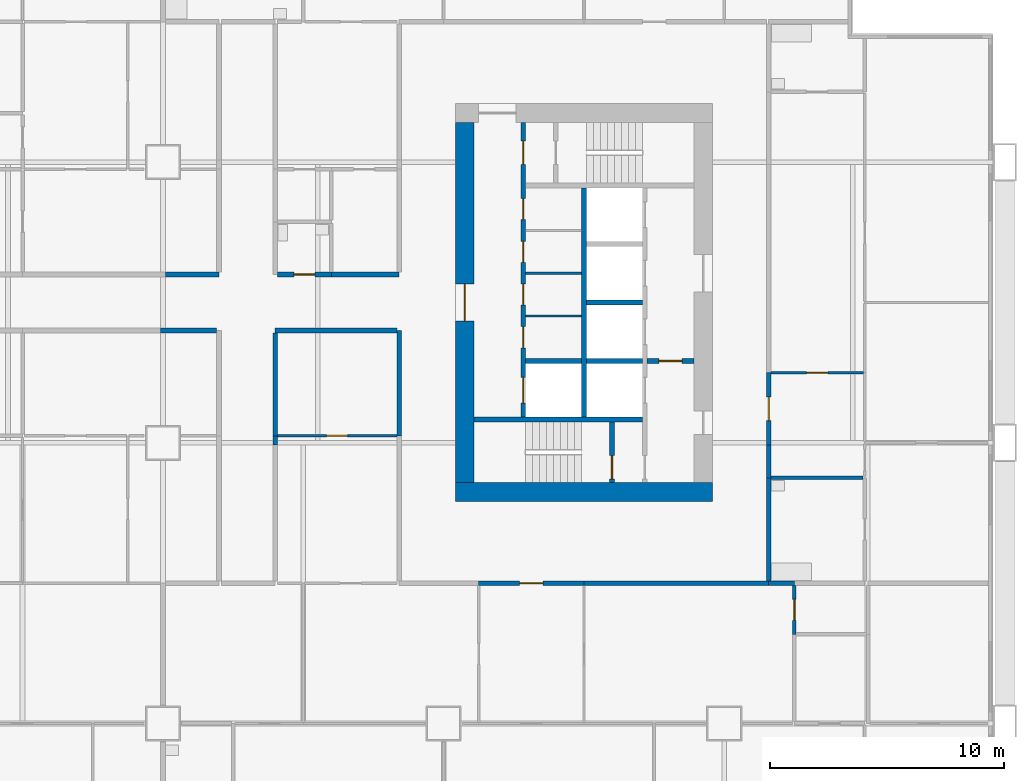
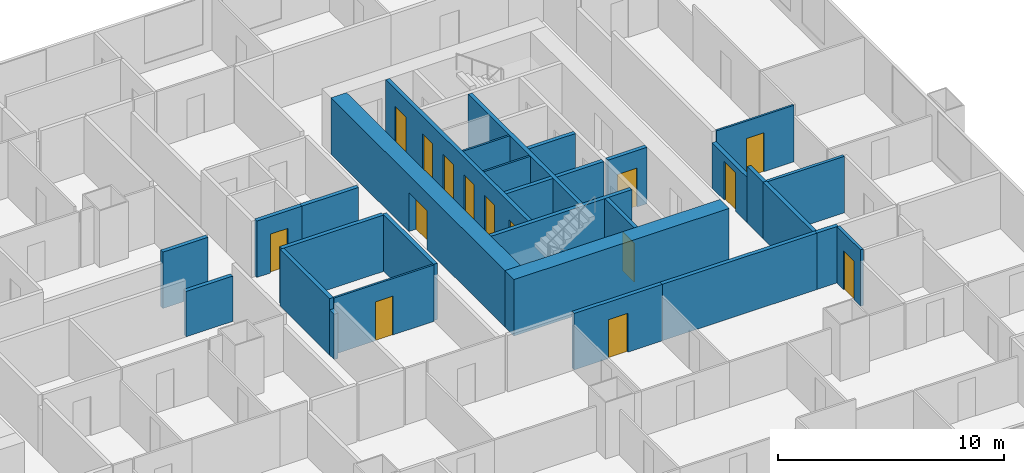
# One storey, part 6 of 13: 30 walls, 15 doors, 15 openings.
"""IFC4 building model written with IfcOpenShell, lengths in metres."""

from ifc_helpers import new_model, si_unit, direction, frame, frame_2d, origin, place, context, subcontext, project, spatial, rectangle, extrude, material, layer, layer_set, type_object, element, fill, save


model = new_model("IFC4")

# Units and contexts
model_context = context("Model", 3, precision=1e-05, world=origin(), true_north=direction((0.0, 1.0)))
body_context = subcontext(model_context, "Body", "Model", "MODEL_VIEW")
ifc_project = project(units=[si_unit("LENGTHUNIT", "METRE"), si_unit("AREAUNIT", "SQUARE_METRE"), si_unit("VOLUMEUNIT", "CUBIC_METRE"), si_unit("PLANEANGLEUNIT", "RADIAN"), si_unit("MASSUNIT", "GRAM", prefix="KILO")], contexts=[model_context])

# Site, building, storey
site_placement = place(None, origin())
site = spatial("IfcSite", under=ifc_project, at=site_placement, CompositionType="ELEMENT")
building_placement = place(site_placement, origin())
building = spatial("IfcBuilding", under=site, at=building_placement, Name="Kitamizu Gate Tower and Museum", CompositionType="ELEMENT")
storey_placement = place(building_placement, frame((0.0, 0.0, 81.75)))
storey = spatial("IfcBuildingStorey", under=building, at=storey_placement, Name="L20", CompositionType="ELEMENT", Elevation=81.75)

# Wall
ifc_material_1 = material(Name="Concrete Fc60", Category="concrete")
ifc_layer_1 = layer(ifc_material_1, 0.800048828125)
ifc_layer_set_1 = layer_set([ifc_layer_1], Name="Concrete Fc60")
wall_type_1 = type_object("IfcWallType", Name="Core wall 800", PredefinedType="SHEAR", material=ifc_layer_set_1)
wall_1_placement = place(storey_placement, frame((59.5, 21.89990234375, 0.0), z_axis=(0.0, 0.0, 1.0), x_axis=(-1.0, 0.0, 0.0)))
element("IfcWall", 1, at=wall_1_placement, inside=storey, type_object=wall_type_1, Name="Core wall ES", PredefinedType="SHEAR", context=body_context, shape_type="SweptSolid", body=[
    extrude(rectangle(XDim=11.0, YDim=0.800048828125, at=frame_2d((5.5, 0.0))), origin(), (0.0, 0.0, 1.0), 3.050048828125),
])

# Wall, opening, door
wall_2_placement = place(storey_placement, frame((48.89990234375, 22.300048828125, 0.0), z_axis=(0.0, 0.0, 1.0), x_axis=(0.0, 1.0, 0.0)))
wall_2 = element("IfcWall", 2, at=wall_2_placement, inside=storey, type_object=wall_type_1, Name="Core wall EARC", PredefinedType="SHEAR", context=body_context, shape_type="SweptSolid", body=[
    extrude(rectangle(XDim=15.39990234375, YDim=0.800048828125, at=frame_2d((7.699951171875, 0.0))), origin(), (0.0, 0.0, 1.0), 3.050048828125),
])
opening_1_placement = place(wall_2_placement, frame((6.89990234375, 0.0, 0.0)))
opening_1 = element("IfcOpeningElement", 3, at=opening_1_placement, cuts=wall_2, Name="Opening L20-097", PredefinedType="OPENING", context=body_context, shape_type="SweptSolid", body=[
    extrude(rectangle(XDim=1.60009765625, YDim=2.10009765625, at=frame_2d((0.800048828125, 1.050048828125))), frame((0.0, 0.41015625, 0.0), z_axis=(0.0, -1.0, 0.0), x_axis=(1.0, 0.0, 0.0)), (0.0, 0.0, 1.0), 0.820068359375),
])
ifc_material_2 = material(Name="Timber door set", Category="wood")
door_type_1 = type_object("IfcDoorType", Name="Entrance door 1600", OperationType="DOUBLE_DOOR_SINGLE_SWING", PredefinedType="DOOR", material=ifc_material_2)
door_1_placement = place(opening_1_placement, origin())
door_1 = element("IfcDoor", 4, at=door_1_placement, inside=storey, type_object=door_type_1, Name="Lobby door L20-097", OperationType="DOUBLE_DOOR_SINGLE_SWING", OverallHeight=2.10009765625, OverallWidth=1.60009765625, PredefinedType="DOOR", context=body_context, shape_type="SweptSolid", body=[
    extrude(rectangle(XDim=1.60009765625, YDim=2.10009765625, at=frame_2d((0.800048828125, 1.050048828125))), frame((0.0, 0.02490234375, 0.0), z_axis=(0.0, -1.0, 0.0), x_axis=(1.0, 0.0, 0.0)), (0.0, 0.0, 1.0), 0.050048828125),
])
fill(opening_1, door_1)

# Walls
ifc_material_3 = material(Name="Gypsum board on galvanised stud")
ifc_layer_2 = layer(ifc_material_3, 0.10009765625)
ifc_layer_set_2 = layer_set([ifc_layer_2], Name="Gypsum board on galvanised stud")
wall_type_2 = type_object("IfcWallType", Name="Partition 100", PredefinedType="PARTITIONING", material=ifc_layer_set_2)
for number, where, z_axis, x_axis, name in (
    (5, (53.89990234375, 29.425048828125, 0.0), (0.0, 0.0, 1.0), (-1.0, 0.0, 0.0), "Partition EPF1"),
    (6, (53.89990234375, 31.25, 0.0), (0.0, 0.0, 1.0), (-1.0, 0.0, 0.0), "Partition EPF2"),
):
    element("IfcWall", number, at=place(storey_placement, frame(where, z_axis=z_axis, x_axis=x_axis)), inside=storey, type_object=wall_type_2, Name=name, PredefinedType="PARTITIONING", context=body_context, shape_type="SweptSolid", body=[
        extrude(rectangle(XDim=2.39990234375, YDim=0.10009765625, at=frame_2d((1.199951171875, 0.0))), origin(), (0.0, 0.0, 1.0), 3.050048828125),
    ])

# Wall, opening, door
ifc_material_4 = material(Name="Gypsum board on galvanised stud")
ifc_layer_3 = layer(ifc_material_4, 0.10009765625)
ifc_layer_set_3 = layer_set([ifc_layer_3], Name="Gypsum board on galvanised stud")
wall_type_3 = type_object("IfcWallType", Name="Partition 100 NOT RATED", PredefinedType="PARTITIONING", material=ifc_layer_set_3)
wall_3_placement = place(storey_placement, frame((46.0, 24.300048828125, 0.0), z_axis=(0.0, 0.0, 1.0), x_axis=(-1.0, 0.0, 0.0)))
wall_3 = element("IfcWall", 7, at=wall_3_placement, inside=storey, type_object=wall_type_3, Name="Partition L20-162", PredefinedType="PARTITIONING", context=body_context, shape_type="SweptSolid", body=[
    extrude(rectangle(XDim=5.10009765625, YDim=0.10009765625, at=frame_2d((2.550048828125, 0.0))), origin(), (0.0, 0.0, 1.0), 3.050048828125),
])
opening_2_placement = place(wall_3_placement, frame((2.10009765625, 0.0, 0.0)))
opening_2 = element("IfcOpeningElement", 8, at=opening_2_placement, cuts=wall_3, Name="Opening L20-058", PredefinedType="OPENING", context=body_context, shape_type="SweptSolid", body=[
    extrude(rectangle(XDim=0.89990234375, YDim=2.10009765625, at=frame_2d((0.449951171875, 1.050048828125))), frame((0.0, 0.06005859375, 0.0), z_axis=(0.0, -1.0, 0.0), x_axis=(1.0, 0.0, 0.0)), (0.0, 0.0, 1.0), 0.1201171875),
])
ifc_material_5 = material(Name="Timber door set", Category="wood")
door_type_2 = type_object("IfcDoorType", Name="Room door 900", OperationType="NOTDEFINED", PredefinedType="DOOR", material=ifc_material_5)
door_2_placement = place(opening_2_placement, frame((0.89990234375, 0.0, 0.0), x_axis=(-1.0, 0.0, 0.0)))
door_2 = element("IfcDoor", 9, at=door_2_placement, inside=storey, type_object=door_type_2, Name="Door L20-058", OperationType="SINGLE_SWING_LEFT", OverallHeight=2.10009765625, OverallWidth=0.89990234375, PredefinedType="DOOR", context=body_context, shape_type="SweptSolid", body=[
    extrude(rectangle(XDim=0.89990234375, YDim=2.10009765625, at=frame_2d((0.449951171875, 1.050048828125))), frame((0.0, 0.02490234375, 0.0), z_axis=(0.0, -1.0, 0.0), x_axis=(1.0, 0.0, 0.0)), (0.0, 0.0, 1.0), 0.050048828125),
])
fill(opening_2, door_2)

wall_4_placement = place(storey_placement, frame((65.949951171875, 27.0, 0.0), z_axis=(0.0, 0.0, 1.0), x_axis=(-1.0, 0.0, 0.0)))
wall_4 = element("IfcWall", 10, at=wall_4_placement, inside=storey, type_object=wall_type_3, Name="Partition L20-180", PredefinedType="PARTITIONING", context=body_context, shape_type="SweptSolid", body=[
    extrude(rectangle(XDim=3.949951171875, YDim=0.10009765625, at=frame_2d((1.97509765625, 0.0))), origin(), (0.0, 0.0, 1.0), 3.050048828125),
])
opening_3_placement = place(wall_4_placement, frame((1.52490234375, 0.0, 0.0)))
opening_3 = element("IfcOpeningElement", 11, at=opening_3_placement, cuts=wall_4, Name="Opening L20-061", PredefinedType="OPENING", context=body_context, shape_type="SweptSolid", body=[
    extrude(rectangle(XDim=0.89990234375, YDim=2.10009765625, at=frame_2d((0.449951171875, 1.050048828125))), frame((0.0, 0.06005859375, 0.0), z_axis=(0.0, -1.0, 0.0), x_axis=(1.0, 0.0, 0.0)), (0.0, 0.0, 1.0), 0.1201171875),
])
door_3_placement = place(opening_3_placement, origin())
door_3 = element("IfcDoor", 12, at=door_3_placement, inside=storey, type_object=door_type_2, Name="Door L20-061", OperationType="SINGLE_SWING_LEFT", OverallHeight=2.10009765625, OverallWidth=0.89990234375, PredefinedType="DOOR", context=body_context, shape_type="SweptSolid", body=[
    extrude(rectangle(XDim=0.89990234375, YDim=2.10009765625, at=frame_2d((0.449951171875, 1.050048828125))), frame((0.0, 0.02490234375, 0.0), z_axis=(0.0, -1.0, 0.0), x_axis=(1.0, 0.0, 0.0)), (0.0, 0.0, 1.0), 0.050048828125),
])
fill(opening_3, door_3)

ifc_material_6 = material(Name="Gypsum board on galvanised stud")
ifc_layer_4 = layer(ifc_material_6, 0.14990234375)
ifc_layer_set_4 = layer_set([ifc_layer_4], Name="Gypsum board on galvanised stud")
wall_type_4 = type_object("IfcWallType", Name="Partition 150", PredefinedType="PARTITIONING", material=ifc_layer_set_4)
wall_5_placement = place(storey_placement, frame((63.0, 15.81396484375, 0.0), z_axis=(0.0, 0.0, 1.0), x_axis=(0.0, 1.0, 0.0)))
wall_5 = element("IfcWall", 13, at=wall_5_placement, inside=storey, type_object=wall_type_4, Name="Partition L20-154", PredefinedType="PARTITIONING", context=body_context, shape_type="SweptSolid", body=[
    extrude(rectangle(XDim=2.0859375, YDim=0.14990234375, at=frame_2d((1.04296875, 0.0))), origin(), (0.0, 0.0, 1.0), 3.050048828125),
])
opening_4_placement = place(wall_5_placement, frame((0.593017578125, 0.0, 0.0)))
opening_4 = element("IfcOpeningElement", 14, at=opening_4_placement, cuts=wall_5, Name="Opening L20-056", PredefinedType="OPENING", context=body_context, shape_type="SweptSolid", body=[
    extrude(rectangle(XDim=0.89990234375, YDim=2.10009765625, at=frame_2d((0.449951171875, 1.050048828125))), frame((0.0, 0.0849609375, 0.0), z_axis=(0.0, -1.0, 0.0), x_axis=(1.0, 0.0, 0.0)), (0.0, 0.0, 1.0), 0.169921875),
])
ifc_material_7 = material(Name="Timber door set", Category="wood")
door_type_3 = type_object("IfcDoorType", Name="Bathroom door 900", OperationType="NOTDEFINED", PredefinedType="DOOR", material=ifc_material_7)
door_4_placement = place(opening_4_placement, frame((0.89990234375, 0.0, 0.0), x_axis=(-1.0, 0.0, 0.0)))
door_4 = element("IfcDoor", 15, at=door_4_placement, inside=storey, type_object=door_type_3, Name="Bathroom door L20-056", OperationType="SINGLE_SWING_LEFT", OverallHeight=2.10009765625, OverallWidth=0.89990234375, PredefinedType="DOOR", context=body_context, shape_type="SweptSolid", body=[
    extrude(rectangle(XDim=0.89990234375, YDim=2.10009765625, at=frame_2d((0.449951171875, 1.050048828125))), frame((0.0, 0.02490234375, 0.0), z_axis=(0.0, -1.0, 0.0), x_axis=(1.0, 0.0, 0.0)), (0.0, 0.0, 1.0), 0.050048828125),
])
fill(opening_4, door_4)

# Walls
wall_6_placement = place(storey_placement, frame((65.925048828125, 22.5, 0.0), z_axis=(0.0, 0.0, 1.0), x_axis=(-1.0, 0.0, 0.0)))
element("IfcWall", 16, at=wall_6_placement, inside=storey, type_object=wall_type_4, Name="Partition L20-178", PredefinedType="PARTITIONING", context=body_context, shape_type="SweptSolid", body=[
    extrude(rectangle(XDim=3.925048828125, YDim=0.14990234375, at=frame_2d((1.96240234375, 0.0))), origin(), (0.0, 0.0, 1.0), 3.050048828125),
])
ifc_material_8 = material(Name="Gypsum board on galvanised stud")
ifc_layer_5 = layer(ifc_material_8, 0.199951171875)
ifc_layer_set_5 = layer_set([ifc_layer_5], Name="Gypsum board on galvanised stud")
wall_type_5 = type_object("IfcWallType", Name="Partition 200", PredefinedType="PARTITIONING", material=ifc_layer_set_5)
wall_7_placement = place(storey_placement, frame((38.300048828125, 28.800048828125, 0.0), z_axis=(0.0, 0.0, 1.0), x_axis=(-1.0, 0.0, 0.0)))
element("IfcWall", 17, at=wall_7_placement, inside=storey, type_object=wall_type_5, Name="Partition L20-061", PredefinedType="PARTITIONING", context=body_context, shape_type="SweptSolid", body=[
    extrude(rectangle(XDim=2.400146484375, YDim=0.199951171875, at=frame_2d((1.2001953125, 0.0))), origin(), (0.0, 0.0, 1.0), 2.449951171875),
])
wall_8_placement = place(storey_placement, frame((36.10009765625, 31.199951171875, 0.0), z_axis=(0.0, 0.0, 1.0), x_axis=(1.0, 0.0, 0.0)))
element("IfcWall", 18, at=wall_8_placement, inside=storey, type_object=wall_type_5, Name="Partition L20-119", PredefinedType="PARTITIONING", context=body_context, shape_type="SweptSolid", body=[
    extrude(rectangle(XDim=2.2998046875, YDim=0.199951171875, at=frame_2d((1.14990234375, 0.0))), origin(), (0.0, 0.0, 1.0), 3.050048828125),
])

# Wall, opening, door
wall_9_placement = place(storey_placement, frame((54.0, 18.0, 0.0), z_axis=(0.0, 0.0, 1.0), x_axis=(-1.0, 0.0, 0.0)))
wall_9 = element("IfcWall", 19, at=wall_9_placement, inside=storey, type_object=wall_type_5, Name="Partition L20-152", PredefinedType="PARTITIONING", context=body_context, shape_type="SweptSolid", body=[
    extrude(rectangle(XDim=4.5, YDim=0.199951171875, at=frame_2d((2.25, 0.0))), origin(), (0.0, 0.0, 1.0), 3.050048828125),
])
opening_5_placement = place(wall_9_placement, frame((1.75, 0.0, 0.0)))
opening_5 = element("IfcOpeningElement", 20, at=opening_5_placement, cuts=wall_9, Name="Opening L20-041", PredefinedType="OPENING", context=body_context, shape_type="SweptSolid", body=[
    extrude(rectangle(XDim=1.0, YDim=2.10009765625, at=frame_2d((0.5, 1.050048828125))), frame((0.0, 0.10986328125, 0.0), z_axis=(0.0, -1.0, 0.0), x_axis=(1.0, 0.0, 0.0)), (0.0, 0.0, 1.0), 0.219970703125),
])
ifc_material_9 = material(Name="Timber door set", Category="wood")
door_type_4 = type_object("IfcDoorType", Name="Flat entrance door 1000", OperationType="NOTDEFINED", PredefinedType="DOOR", material=ifc_material_9)
door_5_placement = place(opening_5_placement, origin())
door_5 = element("IfcDoor", 21, at=door_5_placement, inside=storey, type_object=door_type_4, Name="Flat entrance door L20-041", OperationType="SINGLE_SWING_RIGHT", OverallHeight=2.10009765625, OverallWidth=1.0, PredefinedType="DOOR", context=body_context, shape_type="SweptSolid", body=[
    extrude(rectangle(XDim=1.0, YDim=2.10009765625, at=frame_2d((0.5, 1.050048828125))), frame((0.0, 0.02490234375, 0.0), z_axis=(0.0, -1.0, 0.0), x_axis=(1.0, 0.0, 0.0)), (0.0, 0.0, 1.0), 0.050048828125),
])
fill(opening_5, door_5)

# Walls
wall_10_placement = place(storey_placement, frame((63.0, 18.0, 0.0), z_axis=(0.0, 0.0, 1.0), x_axis=(-1.0, 0.0, 0.0)))
element("IfcWall", 22, at=wall_10_placement, inside=storey, type_object=wall_type_5, Name="Partition L20-155", PredefinedType="PARTITIONING", context=body_context, shape_type="SweptSolid", body=[
    extrude(rectangle(XDim=1.10009765625, YDim=0.199951171875, at=frame_2d((0.550048828125, 0.0))), origin(), (0.0, 0.0, 1.0), 3.050048828125),
])
wall_11_placement = place(storey_placement, frame((61.89990234375, 18.0, 0.0), z_axis=(0.0, 0.0, 1.0), x_axis=(-1.0, 0.0, 0.0)))
element("IfcWall", 23, at=wall_11_placement, inside=storey, type_object=wall_type_5, Name="Partition L20-156", PredefinedType="PARTITIONING", context=body_context, shape_type="SweptSolid", body=[
    extrude(rectangle(XDim=7.89990234375, YDim=0.199951171875, at=frame_2d((3.949951171875, 0.0))), origin(), (0.0, 0.0, 1.0), 3.050048828125),
])
wall_12_placement = place(storey_placement, frame((40.800048828125, 24.300048828125, 0.0), z_axis=(0.0, 0.0, 1.0), x_axis=(0.0, -1.0, 0.0)))
element("IfcWall", 24, at=wall_12_placement, inside=storey, type_object=wall_type_5, Name="Partition L20-163", PredefinedType="PARTITIONING", context=body_context, shape_type="SweptSolid", body=[
    extrude(rectangle(XDim=0.400146484375, YDim=0.199951171875, at=frame_2d((0.2001953125, 0.0))), origin(), (0.0, 0.0, 1.0), 2.449951171875),
])
wall_13_placement = place(storey_placement, frame((46.10009765625, 24.300048828125, 0.0), z_axis=(0.0, 0.0, 1.0), x_axis=(0.0, 1.0, 0.0)))
element("IfcWall", 25, at=wall_13_placement, inside=storey, type_object=wall_type_5, Name="Partition L20-166", PredefinedType="PARTITIONING", context=body_context, shape_type="SweptSolid", body=[
    extrude(rectangle(XDim=4.5, YDim=0.199951171875, at=frame_2d((2.25, 0.0))), origin(), (0.0, 0.0, 1.0), 3.050048828125),
])
wall_14_placement = place(storey_placement, frame((46.0, 28.800048828125, 0.0), z_axis=(0.0, 0.0, 1.0), x_axis=(-1.0, 0.0, 0.0)))
element("IfcWall", 26, at=wall_14_placement, inside=storey, type_object=wall_type_5, Name="Partition L20-167", PredefinedType="PARTITIONING", context=body_context, shape_type="SweptSolid", body=[
    extrude(rectangle(XDim=5.199951171875, YDim=0.199951171875, at=frame_2d((2.60009765625, 0.0))), origin(), (0.0, 0.0, 1.0), 3.050048828125),
])
for number, where, z_axis, x_axis, name in (
    (27, (40.800048828125, 28.699951171875, 0.0), (0.0, 0.0, 1.0), (0.0, -1.0, 0.0), "Partition L20-168"),
    (28, (61.89990234375, 22.5, 0.0), (0.0, 0.0, 1.0), (0.0, -1.0, 0.0), "Partition L20-179"),
):
    element("IfcWall", number, at=place(storey_placement, frame(where, z_axis=z_axis, x_axis=x_axis)), inside=storey, type_object=wall_type_5, Name=name, PredefinedType="PARTITIONING", context=body_context, shape_type="SweptSolid", body=[
        extrude(rectangle(XDim=4.39990234375, YDim=0.199951171875, at=frame_2d((2.199951171875, 0.0))), origin(), (0.0, 0.0, 1.0), 3.050048828125),
    ])

# Wall, opening, door
wall_15_placement = place(storey_placement, frame((61.89990234375, 27.0, 0.0), z_axis=(0.0, 0.0, 1.0), x_axis=(0.0, -1.0, 0.0)))
wall_15 = element("IfcWall", 29, at=wall_15_placement, inside=storey, type_object=wall_type_5, Name="Partition L20-181", PredefinedType="PARTITIONING", context=body_context, shape_type="SweptSolid", body=[
    extrude(rectangle(XDim=3.10009765625, YDim=0.199951171875, at=frame_2d((1.550048828125, 0.0))), origin(), (0.0, 0.0, 1.0), 2.449951171875),
])
opening_6_placement = place(wall_15_placement, frame((1.050048828125, 0.0, 0.0)))
opening_6 = element("IfcOpeningElement", 30, at=opening_6_placement, cuts=wall_15, Name="Opening L20-059", PredefinedType="OPENING", context=body_context, shape_type="SweptSolid", body=[
    extrude(rectangle(XDim=1.0, YDim=2.10009765625, at=frame_2d((0.5, 1.050048828125))), frame((0.0, 0.10986328125, 0.0), z_axis=(0.0, -1.0, 0.0), x_axis=(1.0, 0.0, 0.0)), (0.0, 0.0, 1.0), 0.219970703125),
])
door_6_placement = place(opening_6_placement, origin())
door_6 = element("IfcDoor", 31, at=door_6_placement, inside=storey, type_object=door_type_4, Name="Flat entrance door L20-059", OperationType="SINGLE_SWING_RIGHT", OverallHeight=2.10009765625, OverallWidth=1.0, PredefinedType="DOOR", context=body_context, shape_type="SweptSolid", body=[
    extrude(rectangle(XDim=1.0, YDim=2.10009765625, at=frame_2d((0.5, 1.050048828125))), frame((0.0, 0.02490234375, 0.0), z_axis=(0.0, -1.0, 0.0), x_axis=(1.0, 0.0, 0.0)), (0.0, 0.0, 1.0), 0.050048828125),
])
fill(opening_6, door_6)

# Wall
wall_16_placement = place(storey_placement, frame((61.89990234375, 23.89990234375, 0.0), z_axis=(0.0, 0.0, 1.0), x_axis=(0.0, -1.0, 0.0)))
element("IfcWall", 32, at=wall_16_placement, inside=storey, type_object=wall_type_5, Name="Partition L20-182", PredefinedType="PARTITIONING", context=body_context, shape_type="SweptSolid", body=[
    extrude(rectangle(XDim=1.39990234375, YDim=0.199951171875, at=frame_2d((0.699951171875, 0.0))), origin(), (0.0, 0.0, 1.0), 3.050048828125),
])

# Wall, opening, door
wall_17_placement = place(storey_placement, frame((40.89990234375, 31.199951171875, 0.0), z_axis=(0.0, 0.0, 1.0), x_axis=(1.0, 0.0, 0.0)))
wall_17 = element("IfcWall", 33, at=wall_17_placement, inside=storey, type_object=wall_type_5, Name="Partition L20-209", PredefinedType="PARTITIONING", context=body_context, shape_type="SweptSolid", body=[
    extrude(rectangle(XDim=2.300048828125, YDim=0.199951171875, at=frame_2d((1.14990234375, 0.0))), origin(), (0.0, 0.0, 1.0), 3.050048828125),
])
opening_7_placement = place(wall_17_placement, frame((0.699951171875, 0.0, 0.0)))
opening_7 = element("IfcOpeningElement", 34, at=opening_7_placement, cuts=wall_17, Name="Opening L20-075", PredefinedType="OPENING", context=body_context, shape_type="SweptSolid", body=[
    extrude(rectangle(XDim=0.89990234375, YDim=2.10009765625, at=frame_2d((0.449951171875, 1.050048828125))), frame((0.0, 0.10986328125, 0.0), z_axis=(0.0, -1.0, 0.0), x_axis=(1.0, 0.0, 0.0)), (0.0, 0.0, 1.0), 0.219970703125),
])
ifc_material_10 = material(Name="Timber door set", Category="wood")
door_type_5 = type_object("IfcDoorType", Name="Store door 900", OperationType="NOTDEFINED", PredefinedType="DOOR", material=ifc_material_10)
door_7_placement = place(opening_7_placement, origin())
door_7 = element("IfcDoor", 35, at=door_7_placement, inside=storey, type_object=door_type_5, Name="Service entrance door L20-075", OperationType="SINGLE_SWING_LEFT", OverallHeight=2.10009765625, OverallWidth=0.89990234375, PredefinedType="DOOR", context=body_context, shape_type="SweptSolid", body=[
    extrude(rectangle(XDim=0.89990234375, YDim=2.10009765625, at=frame_2d((0.449951171875, 1.050048828125))), frame((0.0, 0.02490234375, 0.0), z_axis=(0.0, -1.0, 0.0), x_axis=(1.0, 0.0, 0.0)), (0.0, 0.0, 1.0), 0.050048828125),
])
fill(opening_7, door_7)

# Wall
wall_18_placement = place(storey_placement, frame((43.199951171875, 31.199951171875, 0.0), z_axis=(0.0, 0.0, 1.0), x_axis=(1.0, 0.0, 0.0)))
element("IfcWall", 36, at=wall_18_placement, inside=storey, type_object=wall_type_5, Name="Partition L20-212", PredefinedType="PARTITIONING", context=body_context, shape_type="SweptSolid", body=[
    extrude(rectangle(XDim=2.900146484375, YDim=0.199951171875, at=frame_2d((1.4501953125, 0.0))), origin(), (0.0, 0.0, 1.0), 3.050048828125),
])

# Wall, openings, doors
ifc_material_11 = material(Name="Concrete Fc42", Category="concrete")
ifc_layer_6 = layer(ifc_material_11, 0.199951171875)
ifc_layer_set_6 = layer_set([ifc_layer_6], Name="Concrete Fc42")
wall_type_6 = type_object("IfcWallType", Name="Shaft wall 200", PredefinedType="SOLIDWALL", material=ifc_layer_set_6)
wall_19_placement = place(storey_placement, frame((51.39990234375, 25.10009765625, 0.0), z_axis=(0.0, 0.0, 1.0), x_axis=(0.0, 1.0, 0.0)))
wall_19 = element("IfcWall", 37, at=wall_19_placement, inside=storey, type_object=wall_type_6, Name="Shaft wall EEAST", PredefinedType="SOLIDWALL", context=body_context, shape_type="SweptSolid", body=[
    extrude(rectangle(XDim=12.599853515625, YDim=0.199951171875, at=frame_2d((6.2998046875, 0.0))), origin(), (0.0, 0.0, 1.0), 3.050048828125),
])
opening_8_placement = place(wall_19_placement, frame((0.60009765625, 0.0, 0.0)))
opening_8 = element("IfcOpeningElement", 38, at=opening_8_placement, cuts=wall_19, Name="Opening LD", PredefinedType="OPENING", context=body_context, shape_type="SweptSolid", body=[
    extrude(rectangle(XDim=1.10009765625, YDim=2.10009765625, at=frame_2d((0.550048828125, 1.050048828125))), frame((0.0, 0.10986328125, 0.0), z_axis=(0.0, -1.0, 0.0), x_axis=(1.0, 0.0, 0.0)), (0.0, 0.0, 1.0), 0.219970703125),
])
opening_9_placement = place(wall_19_placement, frame((10.800048828125, 0.0, 0.0)))
opening_9 = element("IfcOpeningElement", 39, at=opening_9_placement, cuts=wall_19, Name="Opening L20-091", PredefinedType="OPENING", context=body_context, shape_type="SweptSolid", body=[
    extrude(rectangle(XDim=1.0, YDim=2.10009765625, at=frame_2d((0.5, 1.050048828125))), frame((0.0, 0.10986328125, 0.0), z_axis=(0.0, -1.0, 0.0), x_axis=(1.0, 0.0, 0.0)), (0.0, 0.0, 1.0), 0.219970703125),
])
opening_10_placement = place(wall_19_placement, frame((2.96240234375, 0.0, 0.0)))
opening_10 = element("IfcOpeningElement", 40, at=opening_10_placement, cuts=wall_19, Name="Opening L20-098", PredefinedType="OPENING", context=body_context, shape_type="SweptSolid", body=[
    extrude(rectangle(XDim=0.89990234375, YDim=2.10009765625, at=frame_2d((0.449951171875, 1.050048828125))), frame((0.0, 0.10986328125, 0.0), z_axis=(0.0, -1.0, 0.0), x_axis=(1.0, 0.0, 0.0)), (0.0, 0.0, 1.0), 0.219970703125),
])
opening_11_placement = place(wall_19_placement, frame((4.78759765625, 0.0, 0.0)))
opening_11 = element("IfcOpeningElement", 41, at=opening_11_placement, cuts=wall_19, Name="Opening L20-099", PredefinedType="OPENING", context=body_context, shape_type="SweptSolid", body=[
    extrude(rectangle(XDim=0.89990234375, YDim=2.10009765625, at=frame_2d((0.449951171875, 1.050048828125))), frame((0.0, 0.10986328125, 0.0), z_axis=(0.0, -1.0, 0.0), x_axis=(1.0, 0.0, 0.0)), (0.0, 0.0, 1.0), 0.219970703125),
])
opening_12_placement = place(wall_19_placement, frame((6.612548828125, 0.0, 0.0)))
opening_12 = element("IfcOpeningElement", 42, at=opening_12_placement, cuts=wall_19, Name="Opening L20-100", PredefinedType="OPENING", context=body_context, shape_type="SweptSolid", body=[
    extrude(rectangle(XDim=0.89990234375, YDim=2.10009765625, at=frame_2d((0.449951171875, 1.050048828125))), frame((0.0, 0.10986328125, 0.0), z_axis=(0.0, -1.0, 0.0), x_axis=(1.0, 0.0, 0.0)), (0.0, 0.0, 1.0), 0.219970703125),
])
opening_13_placement = place(wall_19_placement, frame((8.4375, 0.0, 0.0)))
opening_13 = element("IfcOpeningElement", 43, at=opening_13_placement, cuts=wall_19, Name="Opening L20-101", PredefinedType="OPENING", context=body_context, shape_type="SweptSolid", body=[
    extrude(rectangle(XDim=0.89990234375, YDim=2.10009765625, at=frame_2d((0.449951171875, 1.050048828125))), frame((0.0, 0.10986328125, 0.0), z_axis=(0.0, -1.0, 0.0), x_axis=(1.0, 0.0, 0.0)), (0.0, 0.0, 1.0), 0.219970703125),
])
ifc_material_12 = material(Name="Hollow metal door set")
door_type_6 = type_object("IfcDoorType", Name="Fire door 1000", OperationType="NOTDEFINED", PredefinedType="DOOR", material=ifc_material_12)
door_8_placement = place(opening_9_placement, frame((1.0, 0.0, 0.0), x_axis=(-1.0, 0.0, 0.0)))
door_8 = element("IfcDoor", 44, at=door_8_placement, inside=storey, type_object=door_type_6, Name="Stair lobby door L20-091", OperationType="SINGLE_SWING_LEFT", OverallHeight=2.10009765625, OverallWidth=1.0, PredefinedType="DOOR", context=body_context, shape_type="SweptSolid", body=[
    extrude(rectangle(XDim=1.0, YDim=2.10009765625, at=frame_2d((0.5, 1.050048828125))), frame((0.0, 0.02490234375, 0.0), z_axis=(0.0, -1.0, 0.0), x_axis=(1.0, 0.0, 0.0)), (0.0, 0.0, 1.0), 0.050048828125),
])
fill(opening_9, door_8)
ifc_material_13 = material(Name="Hollow metal door set")
door_type_7 = type_object("IfcDoorType", Name="Landing door 1100", OperationType="SLIDING_TO_LEFT", PredefinedType="DOOR", material=ifc_material_13)
door_9_placement = place(opening_8_placement, origin())
door_9 = element("IfcDoor", 45, at=door_9_placement, inside=storey, type_object=door_type_7, Name="Landing door ESV1", OperationType="SLIDING_TO_LEFT", OverallHeight=2.10009765625, OverallWidth=1.10009765625, PredefinedType="DOOR", context=body_context, shape_type="SweptSolid", body=[
    extrude(rectangle(XDim=1.10009765625, YDim=2.10009765625, at=frame_2d((0.550048828125, 1.050048828125))), frame((0.0, 0.02490234375, 0.0), z_axis=(0.0, -1.0, 0.0), x_axis=(1.0, 0.0, 0.0)), (0.0, 0.0, 1.0), 0.050048828125),
])
fill(opening_8, door_9)
ifc_material_14 = material(Name="Timber door set", Category="wood")
door_type_8 = type_object("IfcDoorType", Name="Service door 900", OperationType="NOTDEFINED", PredefinedType="DOOR", material=ifc_material_14)
door_10_placement = place(opening_10_placement, frame((0.89990234375, 0.0, 0.0), x_axis=(-1.0, 0.0, 0.0)))
door_10 = element("IfcDoor", 46, at=door_10_placement, inside=storey, type_object=door_type_8, Name="Service door L20-098", OperationType="SINGLE_SWING_LEFT", OverallHeight=2.10009765625, OverallWidth=0.89990234375, PredefinedType="DOOR", context=body_context, shape_type="SweptSolid", body=[
    extrude(rectangle(XDim=0.89990234375, YDim=2.10009765625, at=frame_2d((0.449951171875, 1.050048828125))), frame((0.0, 0.02490234375, 0.0), z_axis=(0.0, -1.0, 0.0), x_axis=(1.0, 0.0, 0.0)), (0.0, 0.0, 1.0), 0.050048828125),
])
fill(opening_10, door_10)
door_11_placement = place(opening_11_placement, frame((0.89990234375, 0.0, 0.0), x_axis=(-1.0, 0.0, 0.0)))
door_11 = element("IfcDoor", 47, at=door_11_placement, inside=storey, type_object=door_type_8, Name="Service door L20-099", OperationType="SINGLE_SWING_RIGHT", OverallHeight=2.10009765625, OverallWidth=0.89990234375, PredefinedType="DOOR", context=body_context, shape_type="SweptSolid", body=[
    extrude(rectangle(XDim=0.89990234375, YDim=2.10009765625, at=frame_2d((0.449951171875, 1.050048828125))), frame((0.0, 0.02490234375, 0.0), z_axis=(0.0, -1.0, 0.0), x_axis=(1.0, 0.0, 0.0)), (0.0, 0.0, 1.0), 0.050048828125),
])
fill(opening_11, door_11)
door_12_placement = place(opening_12_placement, frame((0.89990234375, 0.0, 0.0), x_axis=(-1.0, 0.0, 0.0)))
door_12 = element("IfcDoor", 48, at=door_12_placement, inside=storey, type_object=door_type_8, Name="Service door L20-100", OperationType="SINGLE_SWING_LEFT", OverallHeight=2.10009765625, OverallWidth=0.89990234375, PredefinedType="DOOR", context=body_context, shape_type="SweptSolid", body=[
    extrude(rectangle(XDim=0.89990234375, YDim=2.10009765625, at=frame_2d((0.449951171875, 1.050048828125))), frame((0.0, 0.02490234375, 0.0), z_axis=(0.0, -1.0, 0.0), x_axis=(1.0, 0.0, 0.0)), (0.0, 0.0, 1.0), 0.050048828125),
])
fill(opening_12, door_12)
door_13_placement = place(opening_13_placement, frame((0.89990234375, 0.0, 0.0), x_axis=(-1.0, 0.0, 0.0)))
door_13 = element("IfcDoor", 49, at=door_13_placement, inside=storey, type_object=door_type_8, Name="Service door L20-101", OperationType="SINGLE_SWING_RIGHT", OverallHeight=2.10009765625, OverallWidth=0.89990234375, PredefinedType="DOOR", context=body_context, shape_type="SweptSolid", body=[
    extrude(rectangle(XDim=0.89990234375, YDim=2.10009765625, at=frame_2d((0.449951171875, 1.050048828125))), frame((0.0, 0.02490234375, 0.0), z_axis=(0.0, -1.0, 0.0), x_axis=(1.0, 0.0, 0.0)), (0.0, 0.0, 1.0), 0.050048828125),
])
fill(opening_13, door_13)

# Walls
wall_20_placement = place(storey_placement, frame((54.0, 25.10009765625, 0.0), z_axis=(0.0, 0.0, 1.0), x_axis=(0.0, 1.0, 0.0)))
element("IfcWall", 50, at=wall_20_placement, inside=storey, type_object=wall_type_6, Name="Shaft wall EMID", PredefinedType="SOLIDWALL", context=body_context, shape_type="SweptSolid", body=[
    extrude(rectangle(XDim=9.7998046875, YDim=0.199951171875, at=frame_2d((4.89990234375, 0.0))), origin(), (0.0, 0.0, 1.0), 3.050048828125),
])
wall_21_placement = place(storey_placement, frame((56.5, 25.0, 0.0), z_axis=(0.0, 0.0, 1.0), x_axis=(-1.0, 0.0, 0.0)))
element("IfcWall", 51, at=wall_21_placement, inside=storey, type_object=wall_type_6, Name="Shaft wall ESB", PredefinedType="SOLIDWALL", context=body_context, shape_type="SweptSolid", body=[
    extrude(rectangle(XDim=7.199951171875, YDim=0.199951171875, at=frame_2d((3.60009765625, 0.0))), origin(), (0.0, 0.0, 1.0), 3.050048828125),
])

# Wall, opening, door
wall_22_placement = place(storey_placement, frame((58.699951171875, 27.5, 0.0), z_axis=(0.0, 0.0, 1.0), x_axis=(-1.0, 0.0, 0.0)))
wall_22 = element("IfcWall", 52, at=wall_22_placement, inside=storey, type_object=wall_type_6, Name="Shaft wall EFFN", PredefinedType="SOLIDWALL", context=body_context, shape_type="SweptSolid", body=[
    extrude(rectangle(XDim=2.0, YDim=0.199951171875, at=frame_2d((1.0, 0.0))), origin(), (0.0, 0.0, 1.0), 3.050048828125),
])
opening_14_placement = place(wall_22_placement, frame((0.5, 0.0, 0.0)))
opening_14 = element("IfcOpeningElement", 53, at=opening_14_placement, cuts=wall_22, Name="Opening L20-093", PredefinedType="OPENING", context=body_context, shape_type="SweptSolid", body=[
    extrude(rectangle(XDim=1.0, YDim=2.10009765625, at=frame_2d((0.5, 1.050048828125))), frame((0.0, 0.10986328125, 0.0), z_axis=(0.0, -1.0, 0.0), x_axis=(1.0, 0.0, 0.0)), (0.0, 0.0, 1.0), 0.219970703125),
])
door_14_placement = place(opening_14_placement, origin())
door_14 = element("IfcDoor", 54, at=door_14_placement, inside=storey, type_object=door_type_6, Name="Fire-fighting lobby door L20-093", OperationType="SINGLE_SWING_RIGHT", OverallHeight=2.10009765625, OverallWidth=1.0, PredefinedType="DOOR", context=body_context, shape_type="SweptSolid", body=[
    extrude(rectangle(XDim=1.0, YDim=2.10009765625, at=frame_2d((0.5, 1.050048828125))), frame((0.0, 0.02490234375, 0.0), z_axis=(0.0, -1.0, 0.0), x_axis=(1.0, 0.0, 0.0)), (0.0, 0.0, 1.0), 0.050048828125),
])
fill(opening_14, door_14)

wall_23_placement = place(storey_placement, frame((55.199951171875, 22.300048828125, 0.0), z_axis=(0.0, 0.0, 1.0), x_axis=(0.0, 1.0, 0.0)))
wall_23 = element("IfcWall", 55, at=wall_23_placement, inside=storey, type_object=wall_type_6, Name="Shaft wall ESZ", PredefinedType="SOLIDWALL", context=body_context, shape_type="SweptSolid", body=[
    extrude(rectangle(XDim=2.599853515625, YDim=0.199951171875, at=frame_2d((1.2998046875, 0.0))), origin(), (0.0, 0.0, 1.0), 3.050048828125),
])
opening_15_placement = place(wall_23_placement, frame((0.14990234375, 0.0, 0.0)))
opening_15 = element("IfcOpeningElement", 56, at=opening_15_placement, cuts=wall_23, Name="Opening L20-089", PredefinedType="OPENING", context=body_context, shape_type="SweptSolid", body=[
    extrude(rectangle(XDim=1.0, YDim=2.10009765625, at=frame_2d((0.5, 1.050048828125))), frame((0.0, 0.10986328125, 0.0), z_axis=(0.0, -1.0, 0.0), x_axis=(1.0, 0.0, 0.0)), (0.0, 0.0, 1.0), 0.219970703125),
])
door_15_placement = place(opening_15_placement, origin())
door_15 = element("IfcDoor", 57, at=door_15_placement, inside=storey, type_object=door_type_6, Name="Stair door L20-089", OperationType="SINGLE_SWING_RIGHT", OverallHeight=2.10009765625, OverallWidth=1.0, PredefinedType="DOOR", context=body_context, shape_type="SweptSolid", body=[
    extrude(rectangle(XDim=1.0, YDim=2.10009765625, at=frame_2d((0.5, 1.050048828125))), frame((0.0, 0.02490234375, 0.0), z_axis=(0.0, -1.0, 0.0), x_axis=(1.0, 0.0, 0.0)), (0.0, 0.0, 1.0), 0.050048828125),
])
fill(opening_15, door_15)

# Walls
for number, where, z_axis, x_axis, name in (
    (58, (56.5, 27.5, 0.0), (0.0, 0.0, 1.0), (-1.0, 0.0, 0.0), "Shaft wall EDVW0"),
    (59, (56.5, 30.0, 0.0), (0.0, 0.0, 1.0), (-1.0, 0.0, 0.0), "Shaft wall EDVW1"),
    (60, (53.89990234375, 27.5, 0.0), (0.0, 0.0, 1.0), (-1.0, 0.0, 0.0), "Shaft wall EDVE0"),
):
    element("IfcWall", number, at=place(storey_placement, frame(where, z_axis=z_axis, x_axis=x_axis)), inside=storey, type_object=wall_type_6, Name=name, PredefinedType="SOLIDWALL", context=body_context, shape_type="SweptSolid", body=[
        extrude(rectangle(XDim=2.39990234375, YDim=0.199951171875, at=frame_2d((1.199951171875, 0.0))), origin(), (0.0, 0.0, 1.0), 3.050048828125),
    ])

save(model, "model.ifc")
